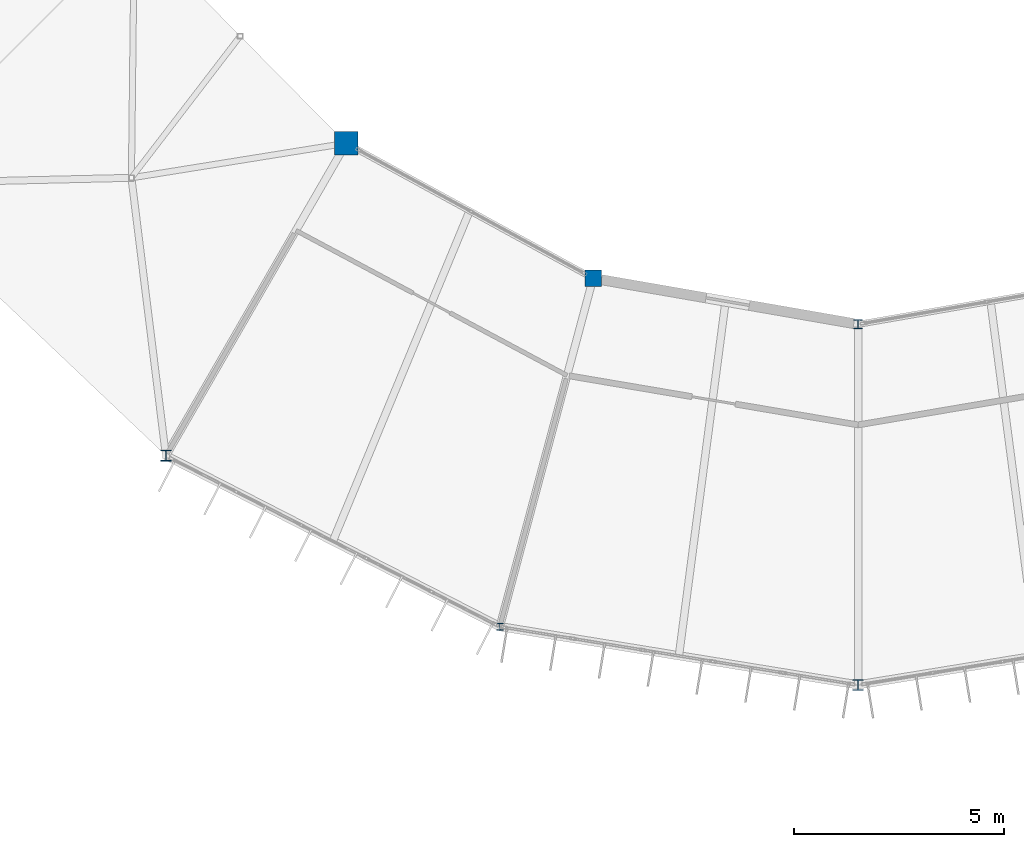
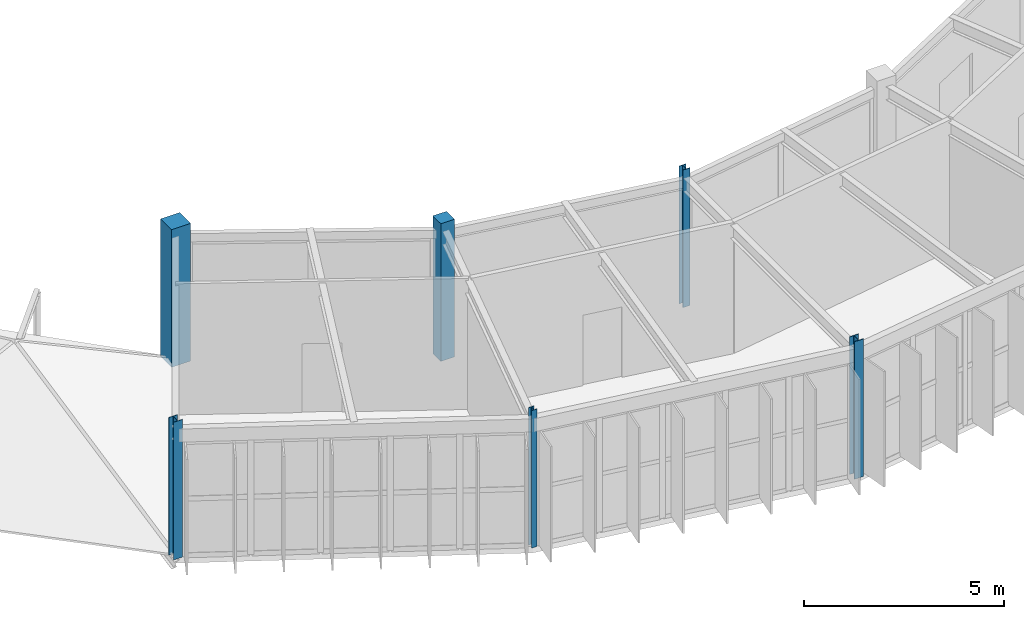
# One storey, part 1 of 106: 6 columns.
"""IFC4 building model written with IfcOpenShell, lengths in metres."""

from ifc_helpers import new_model, si_unit, direction, frame, origin, origin_2d, place, context, subcontext, project, spatial, rectangle, i_section, extrude, material, material_profile, profile_set, type_object, element, save


model = new_model("IFC4")

# Units and contexts
model_context = context("Model", 3, precision=1e-05, world=origin(), true_north=direction((0.0, 1.0)))
body_context = subcontext(model_context, "Body", "Model", "MODEL_VIEW")
ifc_project = project(units=[si_unit("LENGTHUNIT", "METRE"), si_unit("AREAUNIT", "SQUARE_METRE"), si_unit("VOLUMEUNIT", "CUBIC_METRE"), si_unit("PLANEANGLEUNIT", "RADIAN"), si_unit("MASSUNIT", "GRAM", prefix="KILO")], contexts=[model_context])

# Site, building, storey
site_placement = place(None, origin())
site = spatial("IfcSite", under=ifc_project, at=site_placement, CompositionType="ELEMENT")
building_placement = place(site_placement, origin())
building = spatial("IfcBuilding", under=site, at=building_placement, Name="Karori Crest Natural Sciences Institute", CompositionType="ELEMENT")
storey_placement = place(building_placement, frame((0.0, 0.0, 25.89990234375)))
storey = spatial("IfcBuildingStorey", under=building, at=storey_placement, Name="L06", CompositionType="ELEMENT", Elevation=25.89990234375)

# Columns
ifc_material_1 = material(Name="Structural steel AS/NZS 3679.1 Grade 350", Category="steel")
ifc_material_profile_1 = material_profile(ifc_material_1, i_section(OverallWidth=0.256103515625, OverallDepth=0.260009765625, WebThickness=0.010498046875, FlangeThickness=0.017333984375, FilletRadius=0.013916015625, at=origin_2d()), Name="250UC89.5")
ifc_profile_set_1 = profile_set([ifc_material_profile_1], Name="Structural steel AS/NZS 3679.1 Grade 350")
column_type_1 = type_object("IfcColumnType", Name="CT-06", PredefinedType="COLUMN", material=ifc_profile_set_1)
column_1_placement = place(storey_placement, frame((66.39990234375, 9.10009765625, 0.0), z_axis=(0.0, 0.0, 1.0), x_axis=(1.0, 0.0, 0.0)))
element("IfcColumn", 1, at=column_1_placement, inside=storey, type_object=column_type_1, Name="Column C-0311", PredefinedType="COLUMN", context=body_context, shape_type="SweptSolid", body=[
    extrude(i_section(OverallWidth=0.256103515625, OverallDepth=0.260009765625, WebThickness=0.010498046875, FlangeThickness=0.017333984375, FilletRadius=0.013916015625, at=origin_2d()), origin(), (0.0, 0.0, 1.0), 4.2001953125),
])
ifc_material_profile_2 = material_profile(ifc_material_1, i_section(OverallWidth=0.25390625, OverallDepth=0.25390625, WebThickness=0.008544921875, FlangeThickness=0.01416015625, FilletRadius=0.013916015625, at=origin_2d()), Name="250UC72.9")
ifc_profile_set_2 = profile_set([ifc_material_profile_2], Name="Structural steel AS/NZS 3679.1 Grade 350")
column_type_2 = type_object("IfcColumnType", Name="CT-07", PredefinedType="COLUMN", material=ifc_profile_set_2)
column_2_placement = place(storey_placement, frame((49.89990234375, 14.566162109375, 0.0), z_axis=(0.0, 0.0, 1.0), x_axis=(1.0, 0.0, 0.0)))
element("IfcColumn", 2, at=column_2_placement, inside=storey, type_object=column_type_2, Name="Column C-0279", PredefinedType="COLUMN", context=body_context, shape_type="SweptSolid", body=[
    extrude(i_section(OverallWidth=0.25390625, OverallDepth=0.25390625, WebThickness=0.008544921875, FlangeThickness=0.01416015625, FilletRadius=0.013916015625, at=origin_2d()), origin(), (0.0, 0.0, 1.0), 4.2001953125),
])
ifc_material_profile_3 = material_profile(ifc_material_1, i_section(OverallWidth=0.205078125, OverallDepth=0.2099609375, WebThickness=0.00927734375, FlangeThickness=0.01416015625, FilletRadius=0.010986328125, at=origin_2d()), Name="200UC59.5")
ifc_profile_set_3 = profile_set([ifc_material_profile_3], Name="Structural steel AS/NZS 3679.1 Grade 350")
column_type_3 = type_object("IfcColumnType", Name="CT-08", PredefinedType="COLUMN", material=ifc_profile_set_3)
column_3_placement = place(storey_placement, frame((66.39990234375, 17.699951171875, 0.0), z_axis=(0.0, 0.0, 1.0), x_axis=(1.0, 0.0, 0.0)))
element("IfcColumn", 3, at=column_3_placement, inside=storey, type_object=column_type_3, Name="Column C-0312", PredefinedType="COLUMN", context=body_context, shape_type="SweptSolid", body=[
    extrude(i_section(OverallWidth=0.205078125, OverallDepth=0.2099609375, WebThickness=0.00927734375, FlangeThickness=0.01416015625, FilletRadius=0.010986328125, at=origin_2d()), origin(), (0.0, 0.0, 1.0), 4.2001953125),
])
ifc_material_profile_4 = material_profile(ifc_material_1, i_section(OverallWidth=0.154052734375, OverallDepth=0.162109375, WebThickness=0.008056640625, FlangeThickness=0.011474609375, FilletRadius=0.009033203125, at=origin_2d()), Name="150UC37.2")
ifc_profile_set_4 = profile_set([ifc_material_profile_4], Name="Structural steel AS/NZS 3679.1 Grade 350")
column_type_4 = type_object("IfcColumnType", Name="CT-26", PredefinedType="COLUMN", material=ifc_profile_set_4)
column_4_placement = place(storey_placement, frame((57.85888671875, 10.490234375, 0.0), z_axis=(0.0, 0.0, 1.0), x_axis=(1.0, 0.0, 0.0)))
element("IfcColumn", 4, at=column_4_placement, inside=storey, type_object=column_type_4, Name="Column C-0295", PredefinedType="COLUMN", context=body_context, shape_type="SweptSolid", body=[
    extrude(i_section(OverallWidth=0.154052734375, OverallDepth=0.162109375, WebThickness=0.008056640625, FlangeThickness=0.011474609375, FilletRadius=0.009033203125, at=origin_2d()), origin(), (0.0, 0.0, 1.0), 4.2001953125),
])
ifc_material_2 = material(Name="Concrete 50 MPa", Category="concrete")
ifc_material_profile_5 = material_profile(ifc_material_2, rectangle(XDim=0.550048828125, YDim=0.550048828125, at=origin_2d()), Name="RC550x550")
ifc_profile_set_5 = profile_set([ifc_material_profile_5], Name="Concrete 50 MPa")
column_type_5 = type_object("IfcColumnType", Name="CT-30", PredefinedType="COLUMN", material=ifc_profile_set_5)
column_5_placement = place(storey_placement, frame((54.199951171875, 22.013916015625, 0.0), z_axis=(0.0, 0.0, 1.0), x_axis=(1.0, 0.0, 0.0)))
element("IfcColumn", 5, at=column_5_placement, inside=storey, type_object=column_type_5, Name="Column C-0280", PredefinedType="COLUMN", context=body_context, shape_type="SweptSolid", body=[
    extrude(rectangle(XDim=0.550048828125, YDim=0.550048828125, at=origin_2d()), origin(), (0.0, 0.0, 1.0), 4.2001953125),
])
ifc_material_profile_6 = material_profile(ifc_material_2, rectangle(XDim=0.39990234375, YDim=0.39990234375, at=origin_2d()), Name="RC400x400")
ifc_profile_set_6 = profile_set([ifc_material_profile_6], Name="Concrete 50 MPa")
column_type_6 = type_object("IfcColumnType", Name="CT-31", PredefinedType="PILASTER", material=ifc_profile_set_6)
column_6_placement = place(storey_placement, frame((60.084716796875, 18.797119140625, 0.0), z_axis=(0.0, 0.0, 1.0), x_axis=(1.0, 0.0, 0.0)))
element("IfcColumn", 6, at=column_6_placement, inside=storey, type_object=column_type_6, Name="Column C-0296", PredefinedType="PILASTER", context=body_context, shape_type="SweptSolid", body=[
    extrude(rectangle(XDim=0.39990234375, YDim=0.39990234375, at=origin_2d()), origin(), (0.0, 0.0, 1.0), 4.2001953125),
])

save(model, "model.ifc")
